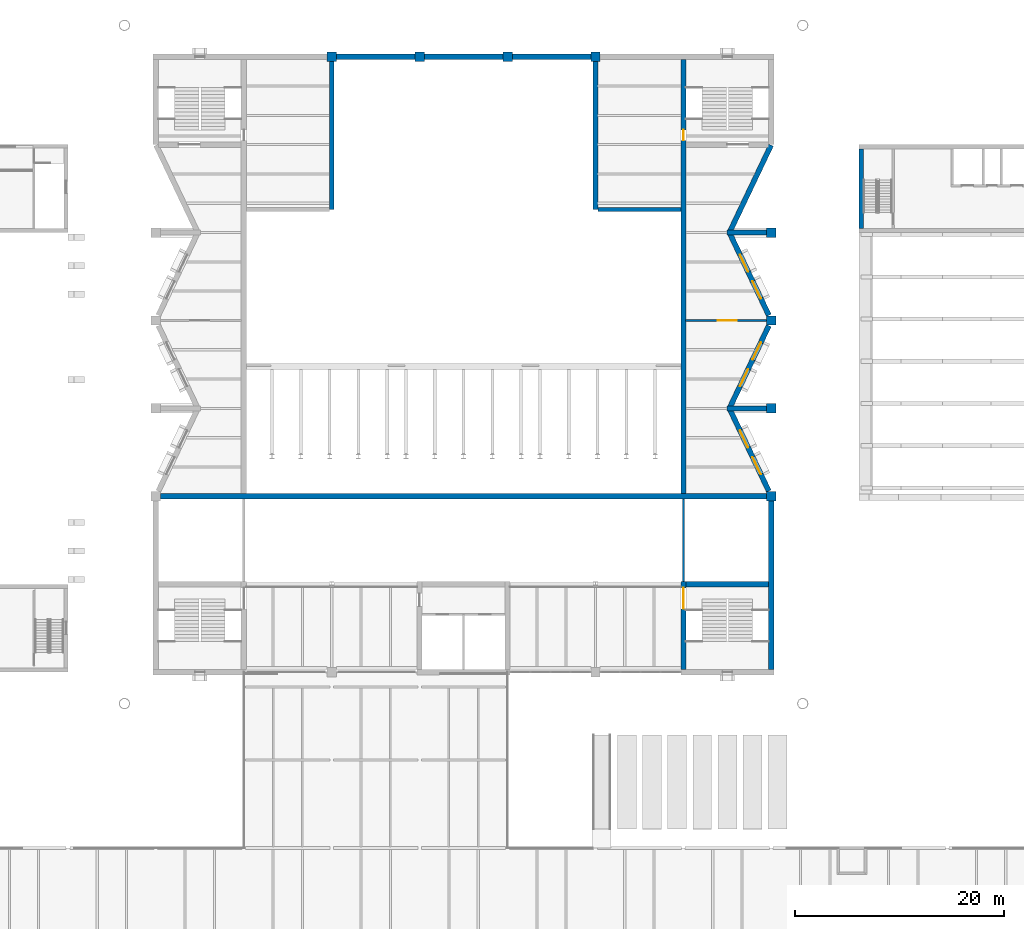
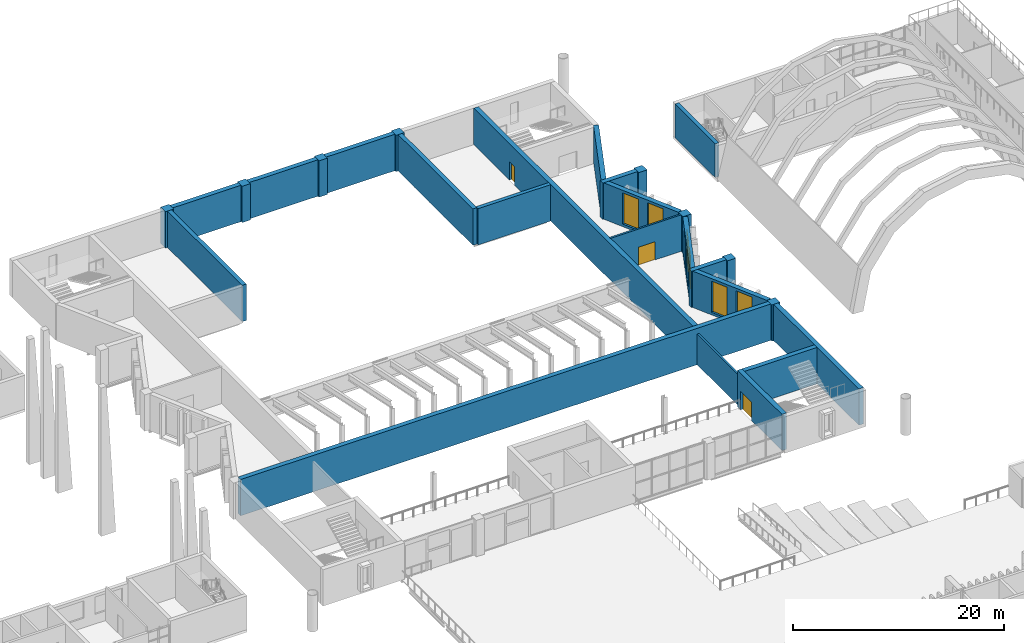
# One storey, part 67 of 96: 28 walls, 6 windows, 3 doors, 9 openings.
"""IFC4 building model written with IfcOpenShell, lengths in metres."""

from ifc_helpers import new_model, si_unit, direction, frame, frame_2d, origin, place, context, subcontext, project, spatial, rectangle, extrude, material, layer, layer_set, type_object, element, fill, save


model = new_model("IFC4")

# Units and contexts
model_context = context("Model", 3, precision=1e-05, world=origin(), true_north=direction((0.0, 1.0)))
body_context = subcontext(model_context, "Body", "Model", "MODEL_VIEW")
ifc_project = project(units=[si_unit("LENGTHUNIT", "METRE"), si_unit("AREAUNIT", "SQUARE_METRE"), si_unit("VOLUMEUNIT", "CUBIC_METRE"), si_unit("PLANEANGLEUNIT", "RADIAN"), si_unit("MASSUNIT", "GRAM", prefix="KILO")], contexts=[model_context])

# Site, building, storey
site_placement = place(None, origin())
site = spatial("IfcSite", under=ifc_project, at=site_placement, CompositionType="ELEMENT")
building_placement = place(site_placement, origin())
building = spatial("IfcBuilding", under=site, at=building_placement, Name="Cresset Court Congress Hotel", CompositionType="ELEMENT")
storey_placement = place(building_placement, frame((0.0, 0.0, 6.0)))
storey = spatial("IfcBuildingStorey", under=building, at=storey_placement, Name="L01", CompositionType="ELEMENT", Elevation=6.0)

# Walls
ifc_material_1 = material(Name="Concrete C50", Category="concrete")
ifc_layer_1 = layer(ifc_material_1, 0.449951171875)
ifc_layer_set_1 = layer_set([ifc_layer_1], Name="Fly-tower wall 450")
wall_type_1 = type_object("IfcWallType", Name="Fly-tower wall 450", PredefinedType="SOLIDWALL", material=ifc_layer_set_1)
for number, where, z_axis, x_axis, name in (
    (1, (75.60009765625, 103.0, 0.0), (0.0, 0.0, 1.0), (0.0, 1.0, 0.0), "Wall CS-1L01"),
    (2, (100.800048828125, 103.0, 0.0), (0.0, 0.0, 1.0), (0.0, 1.0, 0.0), "Wall CS-2L01"),
):
    element("IfcWall", number, at=place(storey_placement, frame(where, z_axis=z_axis, x_axis=x_axis)), inside=storey, type_object=wall_type_1, Name=name, PredefinedType="SOLIDWALL", context=body_context, shape_type="SweptSolid", body=[
        extrude(rectangle(XDim=14.14990234375, YDim=0.449951171875, at=frame_2d((7.074951171875, 0.0))), origin(), (0.0, 0.0, 1.0), 4.199951171875),
    ])

# Wall, opening, door
ifc_material_2 = material(Name="Concrete C35", Category="concrete")
ifc_layer_2 = layer(ifc_material_2, 0.199951171875)
ifc_layer_set_2 = layer_set([ifc_layer_2], Name="Gallery cross wall 200")
wall_type_2 = type_object("IfcWallType", Name="Gallery cross wall 200", PredefinedType="PARTITIONING", material=ifc_layer_set_2)
wall_1_placement = place(storey_placement, frame((109.39990234375, 92.39990234375, 0.0), z_axis=(0.0, 0.0, 1.0), x_axis=(1.0, 0.0, 0.0)))
wall_1 = element("IfcWall", 3, at=wall_1_placement, inside=storey, type_object=wall_type_2, Name="Wall CP-galEL01", PredefinedType="PARTITIONING", context=body_context, shape_type="SweptSolid", body=[
    extrude(rectangle(XDim=7.75, YDim=0.199951171875, at=frame_2d((3.875, 0.0))), origin(), (0.0, 0.0, 1.0), 4.199951171875),
])
opening_1_placement = place(wall_1_placement, frame((3.10009765625, 0.0, 0.0)))
opening_1 = element("IfcOpeningElement", 4, at=opening_1_placement, cuts=wall_1, Name="Opening DC-01-13", PredefinedType="OPENING", context=body_context, shape_type="SweptSolid", body=[
    extrude(rectangle(XDim=1.800048828125, YDim=2.10009765625, at=frame_2d((0.89990234375, 1.050048828125))), frame((0.0, 0.10986328125, 0.0), z_axis=(0.0, -1.0, 0.0), x_axis=(1.0, 0.0, 0.0)), (0.0, 0.0, 1.0), 0.219970703125),
])
ifc_material_3 = material(Name="Timber", Category="wood")
door_type_1 = type_object("IfcDoorType", Name="Double swing door 1800x2100 FD60", OperationType="DOUBLE_DOOR_DOUBLE_SWING", PredefinedType="DOOR", material=ifc_material_3)
door_1_placement = place(opening_1_placement, origin())
door_1 = element("IfcDoor", 5, at=door_1_placement, inside=storey, type_object=door_type_1, Name="Gallery door E", OperationType="DOUBLE_DOOR_DOUBLE_SWING", OverallHeight=2.10009765625, OverallWidth=1.800048828125, PredefinedType="DOOR", context=body_context, shape_type="SweptSolid", body=[
    extrude(rectangle(XDim=1.800048828125, YDim=2.10009765625, at=frame_2d((0.89990234375, 1.050048828125))), frame((0.0, 0.02490234375, 0.0), z_axis=(0.0, -1.0, 0.0), x_axis=(1.0, 0.0, 0.0)), (0.0, 0.0, 1.0), 0.050048828125),
])
fill(opening_1, door_1)

# Wall
ifc_material_4 = material(Name="Concrete C50", Category="concrete")
ifc_layer_3 = layer(ifc_material_4, 0.5)
ifc_layer_set_3 = layer_set([ifc_layer_3], Name="Hall inner wall 500")
wall_type_3 = type_object("IfcWallType", Name="Hall inner wall 500", PredefinedType="SOLIDWALL", material=ifc_layer_set_3)
wall_2_placement = place(storey_placement, frame((59.25, 75.60009765625, 0.0), z_axis=(0.0, 0.0, 1.0), x_axis=(1.0, 0.0, 0.0)))
element("IfcWall", 6, at=wall_2_placement, inside=storey, type_object=wall_type_3, Name="Wall CI-RL01", PredefinedType="SOLIDWALL", context=body_context, shape_type="SweptSolid", body=[
    extrude(rectangle(XDim=57.89990234375, YDim=0.5, at=frame_2d((28.949951171875, 0.0))), origin(), (0.0, 0.0, 1.0), 4.199951171875),
])

# Wall, opening, door
wall_3_placement = place(storey_placement, frame((109.199951171875, 117.35009765625, 0.0), z_axis=(0.0, 0.0, 1.0), x_axis=(0.0, -1.0, 0.0)))
wall_3 = element("IfcWall", 7, at=wall_3_placement, inside=storey, type_object=wall_type_3, Name="Wall CI-EL01", PredefinedType="SOLIDWALL", context=body_context, shape_type="SweptSolid", body=[
    extrude(rectangle(XDim=41.5, YDim=0.5, at=frame_2d((20.75, 0.0))), origin(), (0.0, 0.0, 1.0), 4.199951171875),
])
opening_2_placement = place(wall_3_placement, frame((6.75, 0.0, 0.0)))
opening_2 = element("IfcOpeningElement", 8, at=opening_2_placement, cuts=wall_3, Name="Opening DC-01-11", PredefinedType="OPENING", context=body_context, shape_type="SweptSolid", body=[
    extrude(rectangle(XDim=1.0, YDim=2.10009765625, at=frame_2d((0.5, 1.050048828125))), frame((0.0, 0.260009765625, 0.0), z_axis=(0.0, -1.0, 0.0), x_axis=(1.0, 0.0, 0.0)), (0.0, 0.0, 1.0), 0.52001953125),
])
ifc_material_5 = material(Name="Timber", Category="wood")
door_type_2 = type_object("IfcDoorType", Name="Single swing door 1000x2100", OperationType="SINGLE_SWING_LEFT", PredefinedType="DOOR", material=ifc_material_5)
door_2_placement = place(opening_2_placement, origin())
door_2 = element("IfcDoor", 9, at=door_2_placement, inside=storey, type_object=door_type_2, Name="Storage door", OperationType="SINGLE_SWING_LEFT", OverallHeight=2.10009765625, OverallWidth=1.0, PredefinedType="DOOR", context=body_context, shape_type="SweptSolid", body=[
    extrude(rectangle(XDim=1.0, YDim=2.10009765625, at=frame_2d((0.5, 1.050048828125))), frame((0.0, 0.02490234375, 0.0), z_axis=(0.0, -1.0, 0.0), x_axis=(1.0, 0.0, 0.0)), (0.0, 0.0, 1.0), 0.050048828125),
])
fill(opening_2, door_2)

wall_4_placement = place(storey_placement, frame((109.199951171875, 59.050048828125, 0.0), z_axis=(0.0, 0.0, 1.0), x_axis=(0.0, 1.0, 0.0)))
wall_4 = element("IfcWall", 10, at=wall_4_placement, inside=storey, type_object=wall_type_3, Name="Wall CC-C2WL01", PredefinedType="SOLIDWALL", context=body_context, shape_type="SweptSolid", body=[
    extrude(rectangle(XDim=8.39990234375, YDim=0.5, at=frame_2d((4.199951171875, 0.0))), origin(), (0.0, 0.0, 1.0), 4.199951171875),
])
opening_3_placement = place(wall_4_placement, frame((5.800048828125, 0.0, 0.0)))
opening_3 = element("IfcOpeningElement", 11, at=opening_3_placement, cuts=wall_4, Name="Opening DC-01-02", PredefinedType="OPENING", context=body_context, shape_type="SweptSolid", body=[
    extrude(rectangle(XDim=2.0, YDim=2.10009765625, at=frame_2d((1.0, 1.050048828125))), frame((0.0, 0.260009765625, 0.0), z_axis=(0.0, -1.0, 0.0), x_axis=(1.0, 0.0, 0.0)), (0.0, 0.0, 1.0), 0.52001953125),
])
ifc_material_6 = material(Name="Timber", Category="wood")
door_type_3 = type_object("IfcDoorType", Name="Double swing door 2000x2100 FD60", OperationType="DOUBLE_DOOR_DOUBLE_SWING", PredefinedType="DOOR", material=ifc_material_6)
door_3_placement = place(opening_3_placement, origin())
door_3 = element("IfcDoor", 12, at=door_3_placement, inside=storey, type_object=door_type_3, Name="Stair door ST-C2 L01", OperationType="DOUBLE_DOOR_DOUBLE_SWING", OverallHeight=2.10009765625, OverallWidth=2.0, PredefinedType="DOOR", context=body_context, shape_type="SweptSolid", body=[
    extrude(rectangle(XDim=2.0, YDim=2.10009765625, at=frame_2d((1.0, 1.050048828125))), frame((0.0, 0.02490234375, 0.0), z_axis=(0.0, -1.0, 0.0), x_axis=(1.0, 0.0, 0.0)), (0.0, 0.0, 1.0), 0.050048828125),
])
fill(opening_3, door_3)

# Walls
wall_5_placement = place(storey_placement, frame((109.449951171875, 67.199951171875, 0.0), z_axis=(0.0, 0.0, 1.0), x_axis=(1.0, 0.0, 0.0)))
element("IfcWall", 13, at=wall_5_placement, inside=storey, type_object=wall_type_3, Name="Wall CC-C2NL01", PredefinedType="SOLIDWALL", context=body_context, shape_type="SweptSolid", body=[
    extrude(rectangle(XDim=7.900146484375, YDim=0.5, at=frame_2d((3.9501953125, 0.0))), origin(), (0.0, 0.0, 1.0), 4.199951171875),
])
ifc_material_7 = material(Name="Limestone-faced precast concrete C50", Category="masonry")
ifc_layer_4 = layer(ifc_material_7, 0.5)
ifc_layer_set_4 = layer_set([ifc_layer_4], Name="Hall perimeter wall 500")
wall_type_4 = type_object("IfcWallType", Name="Hall perimeter wall 500", PredefinedType="SOLIDWALL", material=ifc_layer_set_4)
wall_6_placement = place(storey_placement, frame((117.60009765625, 75.14990234375, 0.0), z_axis=(0.0, 0.0, 1.0), x_axis=(0.0, -1.0, 0.0)))
element("IfcWall", 14, at=wall_6_placement, inside=storey, type_object=wall_type_4, Name="Wall CW-EL01-1", PredefinedType="SOLIDWALL", context=body_context, shape_type="SweptSolid", body=[
    extrude(rectangle(XDim=16.099853515625, YDim=0.5, at=frame_2d((8.0498046875, 0.0))), origin(), (0.0, 0.0, 1.0), 4.199951171875),
])

# Wall, openings, windows
wall_7_placement = place(storey_placement, frame((113.66552734375, 83.862548828125, 0.0), z_axis=(0.0, 0.0, 1.0), x_axis=(0.429922557701, -0.902865767642, 0.0)))
wall_7 = element("IfcWall", 15, at=wall_7_placement, inside=storey, type_object=wall_type_4, Name="Wall CW-EL01-2", PredefinedType="SOLIDWALL", context=body_context, shape_type="SweptSolid", body=[
    extrude(rectangle(XDim=8.59765625, YDim=0.5, at=frame_2d((4.298828125, 0.0))), origin(), (0.0, 0.0, 1.0), 4.199951171875),
])
opening_4_placement = place(wall_7_placement, frame((5.01171875, 0.0, 0.300048828125)))
opening_4 = element("IfcOpeningElement", 16, at=opening_4_placement, cuts=wall_7, Name="Opening NC-01-E0197", PredefinedType="OPENING", context=body_context, shape_type="SweptSolid", body=[
    extrude(rectangle(XDim=1.800048828125, YDim=3.60009765625, at=frame_2d((0.89990234375, 1.800048828125))), frame((0.0, 0.260009765625, 0.0), z_axis=(0.0, -1.0, 0.0), x_axis=(1.0, 0.0, 0.0)), (0.0, 0.0, 1.0), 0.52001953125),
])
opening_5_placement = place(wall_7_placement, frame((2.1875, 0.0, 0.300048828125)))
opening_5 = element("IfcOpeningElement", 17, at=opening_5_placement, cuts=wall_7, Name="Opening NC-01-E0222", PredefinedType="OPENING", context=body_context, shape_type="SweptSolid", body=[
    extrude(rectangle(XDim=1.800048828125, YDim=3.60009765625, at=frame_2d((0.89990234375, 1.800048828125))), frame((0.0, 0.260009765625, 0.0), z_axis=(0.0, -1.0, 0.0), x_axis=(1.0, 0.0, 0.0)), (0.0, 0.0, 1.0), 0.52001953125),
])
ifc_material_8 = material(Name="Aluminium and glass", Category="aluminium")
window_type = type_object("IfcWindowType", Name="Fixed window 1800x3600", PartitioningType="SINGLE_PANEL", PredefinedType="WINDOW", material=ifc_material_8)
window_1_placement = place(opening_4_placement, origin())
window_1 = element("IfcWindow", 18, at=window_1_placement, inside=storey, type_object=window_type, Name="Window NC-01-E0197", OverallHeight=3.60009765625, OverallWidth=1.800048828125, PartitioningType="SINGLE_PANEL", PredefinedType="WINDOW", context=body_context, shape_type="SweptSolid", body=[
    extrude(rectangle(XDim=1.800048828125, YDim=3.60009765625, at=frame_2d((0.89990234375, 1.800048828125))), frame((0.0, 0.030029296875, 0.0), z_axis=(0.0, -1.0, 0.0), x_axis=(1.0, 0.0, 0.0)), (0.0, 0.0, 1.0), 0.06005859375),
])
fill(opening_4, window_1)
window_2_placement = place(opening_5_placement, origin())
window_2 = element("IfcWindow", 19, at=window_2_placement, inside=storey, type_object=window_type, Name="Window NC-01-E0222", OverallHeight=3.60009765625, OverallWidth=1.800048828125, PartitioningType="SINGLE_PANEL", PredefinedType="WINDOW", context=body_context, shape_type="SweptSolid", body=[
    extrude(rectangle(XDim=1.800048828125, YDim=3.60009765625, at=frame_2d((0.89990234375, 1.800048828125))), frame((0.0, 0.030029296875, 0.0), z_axis=(0.0, -1.0, 0.0), x_axis=(1.0, 0.0, 0.0)), (0.0, 0.0, 1.0), 0.06005859375),
])
fill(opening_5, window_2)

wall_8_placement = place(storey_placement, frame((117.36181640625, 91.89990234375, 0.0), z_axis=(0.0, 0.0, 1.0), x_axis=(-0.429922557701, -0.902865767642, 0.0)))
wall_8 = element("IfcWall", 20, at=wall_8_placement, inside=storey, type_object=wall_type_4, Name="Wall CW-EL01-3", PredefinedType="SOLIDWALL", context=body_context, shape_type="SweptSolid", body=[
    extrude(rectangle(XDim=8.59765625, YDim=0.5, at=frame_2d((4.298828125, 0.0))), origin(), (0.0, 0.0, 1.0), 4.199951171875),
])
opening_6_placement = place(wall_8_placement, frame((4.6103515625, 0.0, 0.300048828125)))
opening_6 = element("IfcOpeningElement", 21, at=opening_6_placement, cuts=wall_8, Name="Opening NC-01-E0281", PredefinedType="OPENING", context=body_context, shape_type="SweptSolid", body=[
    extrude(rectangle(XDim=1.800048828125, YDim=3.60009765625, at=frame_2d((0.89990234375, 1.800048828125))), frame((0.0, 0.260009765625, 0.0), z_axis=(0.0, -1.0, 0.0), x_axis=(1.0, 0.0, 0.0)), (0.0, 0.0, 1.0), 0.52001953125),
])
opening_7_placement = place(wall_8_placement, frame((1.785888671875, 0.0, 0.300048828125)))
opening_7 = element("IfcOpeningElement", 22, at=opening_7_placement, cuts=wall_8, Name="Opening NC-01-E0306", PredefinedType="OPENING", context=body_context, shape_type="SweptSolid", body=[
    extrude(rectangle(XDim=1.800048828125, YDim=3.60009765625, at=frame_2d((0.89990234375, 1.800048828125))), frame((0.0, 0.260009765625, 0.0), z_axis=(0.0, -1.0, 0.0), x_axis=(1.0, 0.0, 0.0)), (0.0, 0.0, 1.0), 0.52001953125),
])
window_3_placement = place(opening_6_placement, origin())
window_3 = element("IfcWindow", 23, at=window_3_placement, inside=storey, type_object=window_type, Name="Window NC-01-E0281", OverallHeight=3.60009765625, OverallWidth=1.800048828125, PartitioningType="SINGLE_PANEL", PredefinedType="WINDOW", context=body_context, shape_type="SweptSolid", body=[
    extrude(rectangle(XDim=1.800048828125, YDim=3.60009765625, at=frame_2d((0.89990234375, 1.800048828125))), frame((0.0, 0.030029296875, 0.0), z_axis=(0.0, -1.0, 0.0), x_axis=(1.0, 0.0, 0.0)), (0.0, 0.0, 1.0), 0.06005859375),
])
fill(opening_6, window_3)
window_4_placement = place(opening_7_placement, origin())
window_4 = element("IfcWindow", 24, at=window_4_placement, inside=storey, type_object=window_type, Name="Window NC-01-E0306", OverallHeight=3.60009765625, OverallWidth=1.800048828125, PartitioningType="SINGLE_PANEL", PredefinedType="WINDOW", context=body_context, shape_type="SweptSolid", body=[
    extrude(rectangle(XDim=1.800048828125, YDim=3.60009765625, at=frame_2d((0.89990234375, 1.800048828125))), frame((0.0, 0.030029296875, 0.0), z_axis=(0.0, -1.0, 0.0), x_axis=(1.0, 0.0, 0.0)), (0.0, 0.0, 1.0), 0.06005859375),
])
fill(opening_7, window_4)

wall_9_placement = place(storey_placement, frame((113.66552734375, 100.66259765625, 0.0), z_axis=(0.0, 0.0, 1.0), x_axis=(0.429911535511, -0.902871016057, 0.0)))
wall_9 = element("IfcWall", 25, at=wall_9_placement, inside=storey, type_object=wall_type_4, Name="Wall CW-EL01-4", PredefinedType="SOLIDWALL", context=body_context, shape_type="SweptSolid", body=[
    extrude(rectangle(XDim=8.597900390625, YDim=0.5, at=frame_2d((4.298828125, 0.0))), origin(), (0.0, 0.0, 1.0), 4.199951171875),
])
opening_8_placement = place(wall_9_placement, frame((5.01171875, 0.0, 0.300048828125)))
opening_8 = element("IfcOpeningElement", 26, at=opening_8_placement, cuts=wall_9, Name="Opening NC-01-E0365", PredefinedType="OPENING", context=body_context, shape_type="SweptSolid", body=[
    extrude(rectangle(XDim=1.800048828125, YDim=3.60009765625, at=frame_2d((0.89990234375, 1.800048828125))), frame((0.0, 0.260009765625, 0.0), z_axis=(0.0, -1.0, 0.0), x_axis=(1.0, 0.0, 0.0)), (0.0, 0.0, 1.0), 0.52001953125),
])
opening_9_placement = place(wall_9_placement, frame((2.1875, 0.0, 0.300048828125)))
opening_9 = element("IfcOpeningElement", 27, at=opening_9_placement, cuts=wall_9, Name="Opening NC-01-E0390", PredefinedType="OPENING", context=body_context, shape_type="SweptSolid", body=[
    extrude(rectangle(XDim=1.800048828125, YDim=3.60009765625, at=frame_2d((0.89990234375, 1.800048828125))), frame((0.0, 0.260009765625, 0.0), z_axis=(0.0, -1.0, 0.0), x_axis=(1.0, 0.0, 0.0)), (0.0, 0.0, 1.0), 0.52001953125),
])
window_5_placement = place(opening_8_placement, origin())
window_5 = element("IfcWindow", 28, at=window_5_placement, inside=storey, type_object=window_type, Name="Window NC-01-E0365", OverallHeight=3.60009765625, OverallWidth=1.800048828125, PartitioningType="SINGLE_PANEL", PredefinedType="WINDOW", context=body_context, shape_type="SweptSolid", body=[
    extrude(rectangle(XDim=1.800048828125, YDim=3.60009765625, at=frame_2d((0.89990234375, 1.800048828125))), frame((0.0, 0.030029296875, 0.0), z_axis=(0.0, -1.0, 0.0), x_axis=(1.0, 0.0, 0.0)), (0.0, 0.0, 1.0), 0.06005859375),
])
fill(opening_8, window_5)
window_6_placement = place(opening_9_placement, origin())
window_6 = element("IfcWindow", 29, at=window_6_placement, inside=storey, type_object=window_type, Name="Window NC-01-E0390", OverallHeight=3.60009765625, OverallWidth=1.800048828125, PartitioningType="SINGLE_PANEL", PredefinedType="WINDOW", context=body_context, shape_type="SweptSolid", body=[
    extrude(rectangle(XDim=1.800048828125, YDim=3.60009765625, at=frame_2d((0.89990234375, 1.800048828125))), frame((0.0, 0.030029296875, 0.0), z_axis=(0.0, -1.0, 0.0), x_axis=(1.0, 0.0, 0.0)), (0.0, 0.0, 1.0), 0.06005859375),
])
fill(opening_9, window_6)

# Walls
wall_10_placement = place(storey_placement, frame((117.576171875, 109.14990234375, 0.0), z_axis=(0.0, 0.0, 1.0), x_axis=(-0.429931496654, -0.902861511077, 0.0)))
element("IfcWall", 30, at=wall_10_placement, inside=storey, type_object=wall_type_4, Name="Wall CW-EL01-5.1", PredefinedType="SOLIDWALL", context=body_context, shape_type="SweptSolid", body=[
    extrude(rectangle(XDim=9.095947265625, YDim=0.5, at=frame_2d((4.5478515625, 0.0))), origin(), (0.0, 0.0, 1.0), 4.199951171875),
])
for number, where, z_axis, x_axis, name in (
    (31, (113.35009765625, 84.0, 0.0), (0.0, 0.0, 1.0), (1.0, 0.0, 0.0), "Wall CW-EL01-R1"),
    (32, (113.35009765625, 100.800048828125, 0.0), (0.0, 0.0, 1.0), (1.0, 0.0, 0.0), "Wall CW-EL01-R2"),
):
    element("IfcWall", number, at=place(storey_placement, frame(where, z_axis=z_axis, x_axis=x_axis)), inside=storey, type_object=wall_type_4, Name=name, PredefinedType="SOLIDWALL", context=body_context, shape_type="SweptSolid", body=[
        extrude(rectangle(XDim=3.7998046875, YDim=0.5, at=frame_2d((1.89990234375, 0.0))), origin(), (0.0, 0.0, 1.0), 4.199951171875),
    ])
for number, where, z_axis, x_axis, name in (
    (33, (92.85009765625, 117.60009765625, 0.0), (0.0, 0.0, 1.0), (1.0, 0.0, 0.0), "Wall CW-NL01-2"),
    (34, (84.449951171875, 117.60009765625, 0.0), (0.0, 0.0, 1.0), (1.0, 0.0, 0.0), "Wall CW-NL01-3"),
    (35, (76.050048828125, 117.60009765625, 0.0), (0.0, 0.0, 1.0), (1.0, 0.0, 0.0), "Wall CW-NL01-4"),
):
    element("IfcWall", number, at=place(storey_placement, frame(where, z_axis=z_axis, x_axis=x_axis)), inside=storey, type_object=wall_type_4, Name=name, PredefinedType="SOLIDWALL", context=body_context, shape_type="SweptSolid", body=[
        extrude(rectangle(XDim=7.5, YDim=0.5, at=frame_2d((3.75, 0.0))), origin(), (0.0, 0.0, 1.0), 4.199951171875),
    ])
ifc_material_9 = material(Name="Concrete C50", Category="concrete")
ifc_layer_5 = layer(ifc_material_9, 0.89990234375)
ifc_layer_set_5 = layer_set([ifc_layer_5], Name="Hall pilaster 900x900")
wall_type_5 = type_object("IfcWallType", Name="Hall pilaster 900x900", PredefinedType="SOLIDWALL", material=ifc_layer_set_5)
wall_11_placement = place(storey_placement, frame((117.60009765625, 75.14990234375, 0.0), z_axis=(0.0, 0.0, 1.0), x_axis=(0.0, 1.0, 0.0)))
element("IfcWall", 36, at=wall_11_placement, inside=storey, type_object=wall_type_5, Name="Pilaster P-E1", PredefinedType="SOLIDWALL", context=body_context, shape_type="SweptSolid", body=[
    extrude(rectangle(XDim=0.900146484375, YDim=0.89990234375, at=frame_2d((0.4501953125, 0.0))), origin(), (0.0, 0.0, 1.0), 4.199951171875),
])
wall_12_placement = place(storey_placement, frame((117.60009765625, 83.550048828125, 0.0), z_axis=(0.0, 0.0, 1.0), x_axis=(0.0, 1.0, 0.0)))
element("IfcWall", 37, at=wall_12_placement, inside=storey, type_object=wall_type_5, Name="Pilaster P-E2", PredefinedType="SOLIDWALL", context=body_context, shape_type="SweptSolid", body=[
    extrude(rectangle(XDim=0.89990234375, YDim=0.89990234375, at=frame_2d((0.449951171875, 0.0))), origin(), (0.0, 0.0, 1.0), 4.199951171875),
])
wall_13_placement = place(storey_placement, frame((117.60009765625, 91.949951171875, 0.0), z_axis=(0.0, 0.0, 1.0), x_axis=(0.0, 1.0, 0.0)))
element("IfcWall", 38, at=wall_13_placement, inside=storey, type_object=wall_type_5, Name="Pilaster P-E3", PredefinedType="SOLIDWALL", context=body_context, shape_type="SweptSolid", body=[
    extrude(rectangle(XDim=0.900146484375, YDim=0.89990234375, at=frame_2d((0.4501953125, 0.0))), origin(), (0.0, 0.0, 1.0), 4.199951171875),
])
for number, where, z_axis, x_axis, name in (
    (39, (117.60009765625, 100.35009765625, 0.0), (0.0, 0.0, 1.0), (0.0, 1.0, 0.0), "Pilaster P-E4"),
    (40, (101.25, 117.60009765625, 0.0), (0.0, 0.0, 1.0), (-1.0, 0.0, 0.0), "Pilaster P-N1"),
):
    element("IfcWall", number, at=place(storey_placement, frame(where, z_axis=z_axis, x_axis=x_axis)), inside=storey, type_object=wall_type_5, Name=name, PredefinedType="SOLIDWALL", context=body_context, shape_type="SweptSolid", body=[
        extrude(rectangle(XDim=0.89990234375, YDim=0.89990234375, at=frame_2d((0.449951171875, 0.0))), origin(), (0.0, 0.0, 1.0), 4.199951171875),
    ])
wall_14_placement = place(storey_placement, frame((92.85009765625, 117.60009765625, 0.0), z_axis=(0.0, 0.0, 1.0), x_axis=(-1.0, 0.0, 0.0)))
element("IfcWall", 41, at=wall_14_placement, inside=storey, type_object=wall_type_5, Name="Pilaster P-N2", PredefinedType="SOLIDWALL", context=body_context, shape_type="SweptSolid", body=[
    extrude(rectangle(XDim=0.900146484375, YDim=0.89990234375, at=frame_2d((0.4501953125, 0.0))), origin(), (0.0, 0.0, 1.0), 4.199951171875),
])
wall_15_placement = place(storey_placement, frame((84.449951171875, 117.60009765625, 0.0), z_axis=(0.0, 0.0, 1.0), x_axis=(-1.0, 0.0, 0.0)))
element("IfcWall", 42, at=wall_15_placement, inside=storey, type_object=wall_type_5, Name="Pilaster P-N3", PredefinedType="SOLIDWALL", context=body_context, shape_type="SweptSolid", body=[
    extrude(rectangle(XDim=0.89990234375, YDim=0.89990234375, at=frame_2d((0.449951171875, 0.0))), origin(), (0.0, 0.0, 1.0), 4.199951171875),
])
wall_16_placement = place(storey_placement, frame((76.050048828125, 117.60009765625, 0.0), z_axis=(0.0, 0.0, 1.0), x_axis=(-1.0, 0.0, 0.0)))
element("IfcWall", 43, at=wall_16_placement, inside=storey, type_object=wall_type_5, Name="Pilaster P-N4", PredefinedType="SOLIDWALL", context=body_context, shape_type="SweptSolid", body=[
    extrude(rectangle(XDim=0.900146484375, YDim=0.89990234375, at=frame_2d((0.4501953125, 0.0))), origin(), (0.0, 0.0, 1.0), 4.199951171875),
])
ifc_material_10 = material(Name="Concrete C50", Category="concrete")
ifc_layer_6 = layer(ifc_material_10, 0.39990234375)
ifc_layer_set_6 = layer_set([ifc_layer_6], Name="Hall stage wall 400")
wall_type_6 = type_object("IfcWallType", Name="Hall stage wall 400", PredefinedType="SOLIDWALL", material=ifc_layer_set_6)
wall_17_placement = place(storey_placement, frame((101.02490234375, 103.0, 0.0), z_axis=(0.0, 0.0, 1.0), x_axis=(1.0, 0.0, 0.0)))
element("IfcWall", 44, at=wall_17_placement, inside=storey, type_object=wall_type_6, Name="Wall CW-2L01", PredefinedType="SOLIDWALL", context=body_context, shape_type="SweptSolid", body=[
    extrude(rectangle(XDim=7.925048828125, YDim=0.39990234375, at=frame_2d((3.96240234375, 0.0))), origin(), (0.0, 0.0, 1.0), 4.199951171875),
])
ifc_material_11 = material(Name="Concrete C35", Category="concrete")
ifc_layer_7 = layer(ifc_material_11, 0.199951171875)
ifc_layer_set_7 = layer_set([ifc_layer_7], Name="Plant room wall 200 load-bearing")
wall_type_7 = type_object("IfcWallType", Name="Plant room wall 200 load-bearing", PredefinedType="PARTITIONING", material=ifc_layer_set_7)
wall_18_placement = place(storey_placement, frame((109.199951171875, 67.449951171875, 0.0), z_axis=(0.0, 0.0, 1.0), x_axis=(0.0, 1.0, 0.0)))
element("IfcWall", 45, at=wall_18_placement, inside=storey, type_object=wall_type_7, Name="Wall CP-clk.L01", PredefinedType="PARTITIONING", context=body_context, shape_type="SweptSolid", body=[
    extrude(rectangle(XDim=7.900146484375, YDim=0.199951171875, at=frame_2d((3.9501953125, 0.0))), origin(), (0.0, 0.0, 1.0), 3.550048828125),
])
ifc_material_12 = material(Name="Concrete C50", Category="concrete")
ifc_layer_8 = layer(ifc_material_12, 0.39990234375)
ifc_layer_set_8 = layer_set([ifc_layer_8], Name="RC core wall 400 C50 external")
wall_type_8 = type_object("IfcWallType", Name="RC core wall 400 C50 external", PredefinedType="SOLIDWALL", material=ifc_layer_set_8)
wall_19_placement = place(storey_placement, frame((126.199951171875, 101.199951171875, 0.0), z_axis=(0.0, 0.0, 1.0), x_axis=(0.0, 1.0, 0.0)))
element("IfcWall", 46, at=wall_19_placement, inside=storey, type_object=wall_type_8, Name="Core west wall", PredefinedType="SOLIDWALL", context=body_context, shape_type="SweptSolid", body=[
    extrude(rectangle(XDim=7.60009765625, YDim=0.39990234375, at=frame_2d((3.800048828125, 0.0))), origin(), (0.0, 0.0, 1.0), 3.919921875),
])

save(model, "model.ifc")
